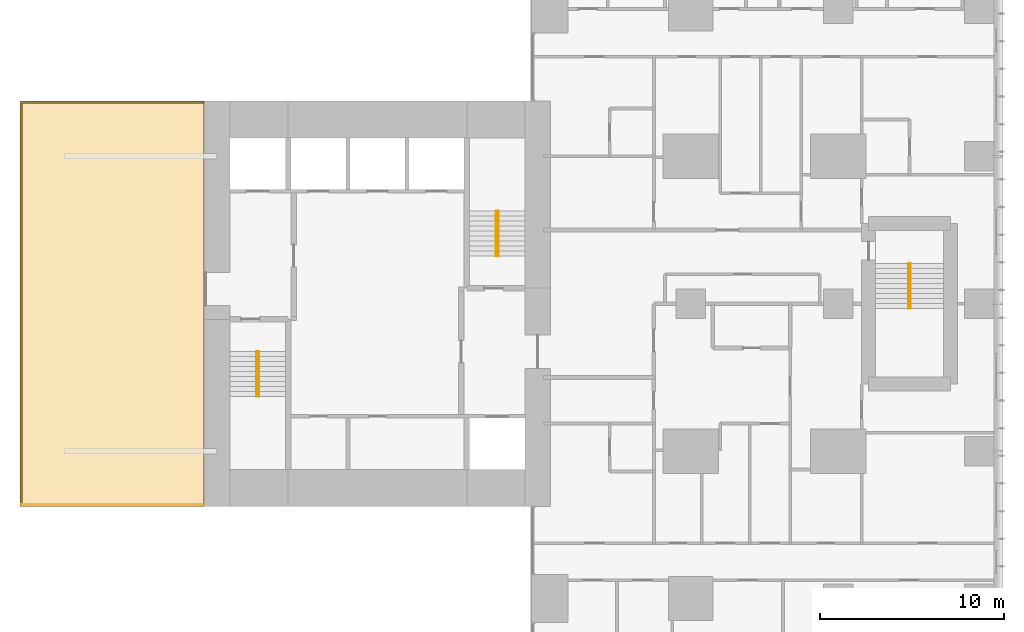
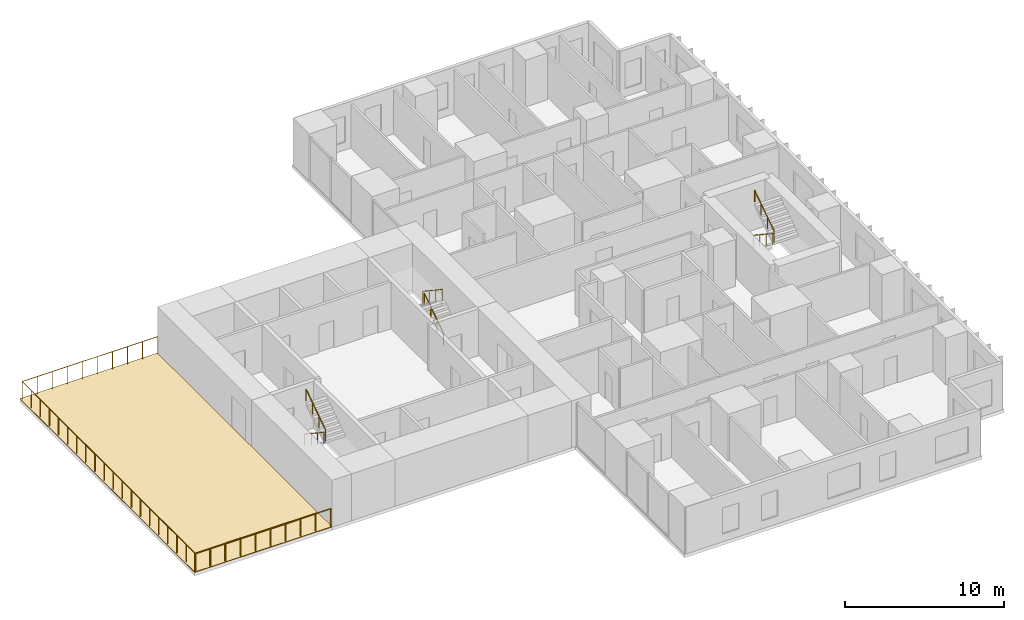
# One storey, part 14 of 14: 8 railings, 2 coverings.
"""IFC4 building model written with IfcOpenShell, lengths in metres."""

from ifc_helpers import new_model, si_unit, direction, frame, origin, origin_2d, place, context, subcontext, project, spatial, polyline, circle, outline, extrude, material, layer, layer_set, type_object, element, save


model = new_model("IFC4")

# Units and contexts
model_context = context("Model", 3, precision=1e-05, world=origin(), true_north=direction((0.0, 1.0)))
body_context = subcontext(model_context, "Body", "Model", "MODEL_VIEW")
ifc_project = project(units=[si_unit("LENGTHUNIT", "METRE"), si_unit("AREAUNIT", "SQUARE_METRE"), si_unit("VOLUMEUNIT", "CUBIC_METRE"), si_unit("PLANEANGLEUNIT", "RADIAN"), si_unit("MASSUNIT", "GRAM", prefix="KILO")], contexts=[model_context])

# Site, building, storey
site_placement = place(None, origin())
site = spatial("IfcSite", under=ifc_project, at=site_placement, CompositionType="ELEMENT")
building_placement = place(site_placement, origin())
building = spatial("IfcBuilding", under=site, at=building_placement, Name="Cleftline Residences", CompositionType="ELEMENT")
storey_placement = place(building_placement, frame((0.0, 0.0, 230.39990234375)))
storey = spatial("IfcBuildingStorey", under=building, at=storey_placement, Name="L60", CompositionType="ELEMENT", Elevation=230.39990234375)

# Railings
ifc_material_1 = material(Name="Stainless steel", Category="steel")
railing_type_1 = type_object("IfcRailingType", Name="HANDRAIL 900", PredefinedType="HANDRAIL", material=ifc_material_1)
railing_1_placement = place(storey_placement, frame((26.449951171875, 21.39990234375, 0.18017578125)))
element("IfcRailing", 1, at=railing_1_placement, inside=storey, type_object=railing_type_1, Name="Stair handrail", PredefinedType="HANDRAIL", context=body_context, shape_type="SweptSolid", body=[
    extrude(circle(Radius=0.02392578125, at=origin_2d()), frame((0.0, 0.0, 0.8759765625), z_axis=(0.0, -0.832063155534, 0.554680903946), x_axis=(1.0, 0.0, 0.0)), (0.0, 0.0, 1.0), 2.92041015625),
    extrude(circle(Radius=0.02099609375, at=origin_2d()), origin(), (0.0, 0.0, 1.0), 0.851806640625),
    extrude(circle(Radius=0.02099609375, at=origin_2d()), frame((0.0, -0.81005859375, 0.5400390625)), (0.0, 0.0, 1.0), 0.851806640625),
    extrude(circle(Radius=0.02099609375, at=origin_2d()), frame((0.0, -1.619873046875, 1.079833984375)), (0.0, 0.0, 1.0), 0.851806640625),
    extrude(circle(Radius=0.02099609375, at=origin_2d()), frame((0.0, -2.429931640625, 1.619873046875)), (0.0, 0.0, 1.0), 0.851806640625),
])
railing_2_placement = place(storey_placement, frame((26.550048828125, 18.969970703125, 1.97998046875)))
element("IfcRailing", 2, at=railing_2_placement, inside=storey, type_object=railing_type_1, Name="Stair handrail", PredefinedType="HANDRAIL", context=body_context, shape_type="SweptSolid", body=[
    extrude(circle(Radius=0.02392578125, at=origin_2d()), frame((0.0, 0.0, 0.8759765625), z_axis=(0.0, 0.832024571796, 0.554738778101), x_axis=(-1.0, 0.0, 0.0)), (0.0, 0.0, 1.0), 2.92041015625),
    extrude(circle(Radius=0.02099609375, at=origin_2d()), origin(), (0.0, 0.0, 1.0), 0.851806640625),
    extrude(circle(Radius=0.02099609375, at=origin_2d()), frame((0.0, 0.81005859375, 0.5400390625)), (0.0, 0.0, 1.0), 0.851806640625),
    extrude(circle(Radius=0.02099609375, at=origin_2d()), frame((0.0, 1.619873046875, 1.080078125)), (0.0, 0.0, 1.0), 0.851806640625),
    extrude(circle(Radius=0.02099609375, at=origin_2d()), frame((0.0, 2.429931640625, 1.6201171875)), (0.0, 0.0, 1.0), 0.851806640625),
])
railing_3_placement = place(storey_placement, frame((39.550048828125, 26.60009765625, 0.18017578125)))
element("IfcRailing", 3, at=railing_3_placement, inside=storey, type_object=railing_type_1, Name="Stair handrail", PredefinedType="HANDRAIL", context=body_context, shape_type="SweptSolid", body=[
    extrude(circle(Radius=0.02392578125, at=origin_2d()), frame((0.0, 0.0, 0.8759765625), z_axis=(0.0, 0.832063155534, 0.554680903946), x_axis=(-1.0, 0.0, 0.0)), (0.0, 0.0, 1.0), 2.92041015625),
    extrude(circle(Radius=0.02099609375, at=origin_2d()), origin(), (0.0, 0.0, 1.0), 0.851806640625),
    extrude(circle(Radius=0.02099609375, at=origin_2d()), frame((0.0, 0.81005859375, 0.5400390625)), (0.0, 0.0, 1.0), 0.851806640625),
    extrude(circle(Radius=0.02099609375, at=origin_2d()), frame((0.0, 1.619873046875, 1.079833984375)), (0.0, 0.0, 1.0), 0.851806640625),
    extrude(circle(Radius=0.02099609375, at=origin_2d()), frame((0.0, 2.429931640625, 1.619873046875)), (0.0, 0.0, 1.0), 0.851806640625),
])
railing_4_placement = place(storey_placement, frame((39.449951171875, 29.030029296875, 1.97998046875)))
element("IfcRailing", 4, at=railing_4_placement, inside=storey, type_object=railing_type_1, Name="Stair handrail", PredefinedType="HANDRAIL", context=body_context, shape_type="SweptSolid", body=[
    extrude(circle(Radius=0.02392578125, at=origin_2d()), frame((0.0, 0.0, 0.8759765625), z_axis=(0.0, -0.832024571796, 0.554738778101), x_axis=(1.0, 0.0, 0.0)), (0.0, 0.0, 1.0), 2.92041015625),
    extrude(circle(Radius=0.02099609375, at=origin_2d()), origin(), (0.0, 0.0, 1.0), 0.851806640625),
    extrude(circle(Radius=0.02099609375, at=origin_2d()), frame((0.0, -0.81005859375, 0.5400390625)), (0.0, 0.0, 1.0), 0.851806640625),
    extrude(circle(Radius=0.02099609375, at=origin_2d()), frame((0.0, -1.619873046875, 1.080078125)), (0.0, 0.0, 1.0), 0.851806640625),
    extrude(circle(Radius=0.02099609375, at=origin_2d()), frame((0.0, -2.429931640625, 1.6201171875)), (0.0, 0.0, 1.0), 0.851806640625),
])
railing_5_placement = place(storey_placement, frame((61.824951171875, 26.175048828125, 0.18017578125)))
element("IfcRailing", 5, at=railing_5_placement, inside=storey, type_object=railing_type_1, Name="Stair handrail", PredefinedType="HANDRAIL", context=body_context, shape_type="SweptSolid", body=[
    extrude(circle(Radius=0.02392578125, at=origin_2d()), frame((0.0, 0.0, 0.8759765625), z_axis=(0.0, -0.832063155534, 0.554680903946), x_axis=(1.0, 0.0, 0.0)), (0.0, 0.0, 1.0), 2.92041015625),
    extrude(circle(Radius=0.02099609375, at=origin_2d()), origin(), (0.0, 0.0, 1.0), 0.851806640625),
    extrude(circle(Radius=0.02099609375, at=origin_2d()), frame((0.0, -0.81005859375, 0.5400390625)), (0.0, 0.0, 1.0), 0.851806640625),
    extrude(circle(Radius=0.02099609375, at=origin_2d()), frame((0.0, -1.619873046875, 1.079833984375)), (0.0, 0.0, 1.0), 0.851806640625),
    extrude(circle(Radius=0.02099609375, at=origin_2d()), frame((0.0, -2.429931640625, 1.619873046875)), (0.0, 0.0, 1.0), 0.851806640625),
])
railing_6_placement = place(storey_placement, frame((61.925048828125, 23.7451171875, 1.97998046875)))
element("IfcRailing", 6, at=railing_6_placement, inside=storey, type_object=railing_type_1, Name="Stair handrail", PredefinedType="HANDRAIL", context=body_context, shape_type="SweptSolid", body=[
    extrude(circle(Radius=0.02392578125, at=origin_2d()), frame((0.0, 0.0, 0.8759765625), z_axis=(0.0, 0.832024571796, 0.554738778101), x_axis=(-1.0, 0.0, 0.0)), (0.0, 0.0, 1.0), 2.92041015625),
    extrude(circle(Radius=0.02099609375, at=origin_2d()), origin(), (0.0, 0.0, 1.0), 0.851806640625),
    extrude(circle(Radius=0.02099609375, at=origin_2d()), frame((0.0, 0.81005859375, 0.5400390625)), (0.0, 0.0, 1.0), 0.851806640625),
    extrude(circle(Radius=0.02099609375, at=origin_2d()), frame((0.0, 1.619873046875, 1.080078125)), (0.0, 0.0, 1.0), 0.851806640625),
    extrude(circle(Radius=0.02099609375, at=origin_2d()), frame((0.0, 2.429931640625, 1.6201171875)), (0.0, 0.0, 1.0), 0.851806640625),
])
ifc_material_2 = material(Name="Stainless steel and laminated glass", Category="steel")
railing_type_2 = type_object("IfcRailingType", Name="TERRACE GUARD 1400", PredefinedType="GUARDRAIL", material=ifc_material_2)
railing_7_placement = place(storey_placement, frame((13.699951171875, 13.10009765625, 0.0)))
element("IfcRailing", 7, at=railing_7_placement, inside=storey, type_object=railing_type_2, Name="Terrace guard", PredefinedType="GUARDRAIL", context=body_context, shape_type="SweptSolid", body=[
    extrude(circle(Radius=0.02392578125, at=origin_2d()), frame((0.0, 0.0, 1.3759765625), z_axis=(0.0, 1.0, 0.0), x_axis=(-1.0, 0.0, 0.0)), (0.0, 0.0, 1.0), 21.7998046875),
    extrude(circle(Radius=0.02392578125, at=origin_2d()), frame((0.0, 21.7998046875, 1.3759765625), z_axis=(1.0, 0.0, 0.0), x_axis=(0.0, 1.0, 0.0)), (0.0, 0.0, 1.0), 9.85009765625),
    extrude(circle(Radius=0.02099609375, at=origin_2d()), origin(), (0.0, 0.0, 1.0), 1.351806640625),
    extrude(circle(Radius=0.02099609375, at=origin_2d()), frame((0.0, 1.1474609375, 0.0)), (0.0, 0.0, 1.0), 1.351806640625),
    extrude(circle(Radius=0.02099609375, at=origin_2d()), frame((0.0, 2.294677734375, 0.0)), (0.0, 0.0, 1.0), 1.351806640625),
    extrude(circle(Radius=0.02099609375, at=origin_2d()), frame((0.0, 3.442138671875, 0.0)), (0.0, 0.0, 1.0), 1.351806640625),
    extrude(circle(Radius=0.02099609375, at=origin_2d()), frame((0.0, 4.58935546875, 0.0)), (0.0, 0.0, 1.0), 1.351806640625),
    extrude(circle(Radius=0.02099609375, at=origin_2d()), frame((0.0, 5.73681640625, 0.0)), (0.0, 0.0, 1.0), 1.351806640625),
    extrude(circle(Radius=0.02099609375, at=origin_2d()), frame((0.0, 6.884033203125, 0.0)), (0.0, 0.0, 1.0), 1.351806640625),
    extrude(circle(Radius=0.02099609375, at=origin_2d()), frame((0.0, 8.031494140625, 0.0)), (0.0, 0.0, 1.0), 1.351806640625),
    extrude(circle(Radius=0.02099609375, at=origin_2d()), frame((0.0, 9.178955078125, 0.0)), (0.0, 0.0, 1.0), 1.351806640625),
    extrude(circle(Radius=0.02099609375, at=origin_2d()), frame((0.0, 10.326171875, 0.0)), (0.0, 0.0, 1.0), 1.351806640625),
    extrude(circle(Radius=0.02099609375, at=origin_2d()), frame((0.0, 11.4736328125, 0.0)), (0.0, 0.0, 1.0), 1.351806640625),
    extrude(circle(Radius=0.02099609375, at=origin_2d()), frame((0.0, 12.620849609375, 0.0)), (0.0, 0.0, 1.0), 1.351806640625),
    extrude(circle(Radius=0.02099609375, at=origin_2d()), frame((0.0, 13.768310546875, 0.0)), (0.0, 0.0, 1.0), 1.351806640625),
    extrude(circle(Radius=0.02099609375, at=origin_2d()), frame((0.0, 14.915771484375, 0.0)), (0.0, 0.0, 1.0), 1.351806640625),
    extrude(circle(Radius=0.02099609375, at=origin_2d()), frame((0.0, 16.06298828125, 0.0)), (0.0, 0.0, 1.0), 1.351806640625),
    extrude(circle(Radius=0.02099609375, at=origin_2d()), frame((0.0, 17.21044921875, 0.0)), (0.0, 0.0, 1.0), 1.351806640625),
    extrude(circle(Radius=0.02099609375, at=origin_2d()), frame((0.0, 18.357666015625, 0.0)), (0.0, 0.0, 1.0), 1.351806640625),
    extrude(circle(Radius=0.02099609375, at=origin_2d()), frame((0.0, 19.505126953125, 0.0)), (0.0, 0.0, 1.0), 1.351806640625),
    extrude(circle(Radius=0.02099609375, at=origin_2d()), frame((0.0, 20.65234375, 0.0)), (0.0, 0.0, 1.0), 1.351806640625),
    extrude(circle(Radius=0.02099609375, at=origin_2d()), frame((0.0, 21.7998046875, 0.0)), (0.0, 0.0, 1.0), 1.351806640625),
    extrude(circle(Radius=0.02099609375, at=origin_2d()), frame((1.094482421875, 21.7998046875, 0.0)), (0.0, 0.0, 1.0), 1.351806640625),
    extrude(circle(Radius=0.02099609375, at=origin_2d()), frame((2.18896484375, 21.7998046875, 0.0)), (0.0, 0.0, 1.0), 1.351806640625),
    extrude(circle(Radius=0.02099609375, at=origin_2d()), frame((3.283447265625, 21.7998046875, 0.0)), (0.0, 0.0, 1.0), 1.351806640625),
    extrude(circle(Radius=0.02099609375, at=origin_2d()), frame((4.3779296875, 21.7998046875, 0.0)), (0.0, 0.0, 1.0), 1.351806640625),
    extrude(circle(Radius=0.02099609375, at=origin_2d()), frame((5.47216796875, 21.7998046875, 0.0)), (0.0, 0.0, 1.0), 1.351806640625),
    extrude(circle(Radius=0.02099609375, at=origin_2d()), frame((6.566650390625, 21.7998046875, 0.0)), (0.0, 0.0, 1.0), 1.351806640625),
    extrude(circle(Radius=0.02099609375, at=origin_2d()), frame((7.6611328125, 21.7998046875, 0.0)), (0.0, 0.0, 1.0), 1.351806640625),
    extrude(circle(Radius=0.02099609375, at=origin_2d()), frame((8.755615234375, 21.7998046875, 0.0)), (0.0, 0.0, 1.0), 1.351806640625),
    extrude(circle(Radius=0.02099609375, at=origin_2d()), frame((9.85009765625, 21.7998046875, 0.0)), (0.0, 0.0, 1.0), 1.351806640625),
])
railing_8_placement = place(storey_placement, frame((23.550048828125, 13.10009765625, 0.0)))
element("IfcRailing", 8, at=railing_8_placement, inside=storey, type_object=railing_type_2, Name="Terrace guard", PredefinedType="GUARDRAIL", context=body_context, shape_type="SweptSolid", body=[
    extrude(circle(Radius=0.02392578125, at=origin_2d()), frame((0.0, 0.0, 1.3759765625), z_axis=(-1.0, 0.0, 0.0), x_axis=(0.0, -1.0, 0.0)), (0.0, 0.0, 1.0), 9.85009765625),
    extrude(circle(Radius=0.02099609375, at=origin_2d()), origin(), (0.0, 0.0, 1.0), 1.351806640625),
    extrude(circle(Radius=0.02099609375, at=origin_2d()), frame((-1.094482421875, 0.0, 0.0)), (0.0, 0.0, 1.0), 1.351806640625),
    extrude(circle(Radius=0.02099609375, at=origin_2d()), frame((-2.18896484375, 0.0, 0.0)), (0.0, 0.0, 1.0), 1.351806640625),
    extrude(circle(Radius=0.02099609375, at=origin_2d()), frame((-3.283447265625, 0.0, 0.0)), (0.0, 0.0, 1.0), 1.351806640625),
    extrude(circle(Radius=0.02099609375, at=origin_2d()), frame((-4.3779296875, 0.0, 0.0)), (0.0, 0.0, 1.0), 1.351806640625),
    extrude(circle(Radius=0.02099609375, at=origin_2d()), frame((-5.47216796875, 0.0, 0.0)), (0.0, 0.0, 1.0), 1.351806640625),
    extrude(circle(Radius=0.02099609375, at=origin_2d()), frame((-6.566650390625, 0.0, 0.0)), (0.0, 0.0, 1.0), 1.351806640625),
    extrude(circle(Radius=0.02099609375, at=origin_2d()), frame((-7.6611328125, 0.0, 0.0)), (0.0, 0.0, 1.0), 1.351806640625),
    extrude(circle(Radius=0.02099609375, at=origin_2d()), frame((-8.755615234375, 0.0, 0.0)), (0.0, 0.0, 1.0), 1.351806640625),
    extrude(circle(Radius=0.02099609375, at=origin_2d()), frame((-9.85009765625, 0.0, 0.0)), (0.0, 0.0, 1.0), 1.351806640625),
])

# Coverings
ifc_material_3 = material(Name="Porcelain paving on adhesive bed")
ifc_layer_1 = layer(ifc_material_3, 0.0400390625)
ifc_layer_set_1 = layer_set([ifc_layer_1], Name="TERRACE PAVING 40")
covering_type_1 = type_object("IfcCoveringType", Name="TERRACE PAVING 40", PredefinedType="FLOORING", material=ifc_layer_set_1)
covering_1_placement = place(storey_placement, frame((0.0, 0.0, 0.005126953125)))
element("IfcCovering", 9, at=covering_1_placement, inside=storey, type_object=covering_type_1, Name="Terrace paving L60 1", PredefinedType="FLOORING", context=body_context, shape_type="SweptSolid", body=[
    extrude(outline(polyline([(13.60009765625, 13.010009765625), (13.60009765625, 13.009033203125), (13.60009765625, 13.008056640625), (13.600341796875, 13.007080078125), (13.600830078125, 13.006103515625), (13.601318359375, 13.00537109375), (13.601806640625, 13.00439453125), (13.602294921875, 13.003662109375), (13.602783203125, 13.0029296875), (13.603759765625, 13.002197265625), (13.6044921875, 13.001708984375), (13.605224609375, 13.001220703125), (13.606201171875, 13.000732421875), (13.607177734375, 13.00048828125), (13.60791015625, 13.000244140625), (13.60888671875, 13.0), (13.610107421875, 13.0), (23.590087890625, 13.0), (23.591064453125, 13.0), (23.592041015625, 13.000244140625), (23.593017578125, 13.00048828125), (23.59375, 13.000732421875), (23.5947265625, 13.001220703125), (23.594970703125, 13.00146484375), (23.594970703125, 23.14501953125), (23.594970703125, 23.155029296875), (23.594970703125, 34.99853515625), (23.5947265625, 34.998779296875), (23.59375, 34.999267578125), (23.593017578125, 34.99951171875), (23.592041015625, 34.999755859375), (23.591064453125, 35.0), (23.590087890625, 35.0), (13.610107421875, 35.0), (13.60888671875, 35.0), (13.60791015625, 34.999755859375), (13.607177734375, 34.99951171875), (13.606201171875, 34.999267578125), (13.605224609375, 34.998779296875), (13.6044921875, 34.998291015625), (13.603759765625, 34.997802734375), (13.602783203125, 34.9970703125), (13.602294921875, 34.996337890625), (13.601806640625, 34.99560546875), (13.601318359375, 34.99462890625), (13.600830078125, 34.993896484375), (13.600341796875, 34.992919921875), (13.60009765625, 34.991943359375), (13.60009765625, 34.990966796875), (13.60009765625, 34.989990234375), (13.60009765625, 13.010009765625)])), origin(), (0.0, 0.0, 1.0), 0.0400390625),
])
ifc_material_4 = material(Name="Liquid-applied polyurethane waterproofing")
ifc_layer_2 = layer(ifc_material_4, 0.0048828125)
ifc_layer_set_2 = layer_set([ifc_layer_2], Name="TERRACE WATERPROOFING 5")
covering_type_2 = type_object("IfcCoveringType", Name="TERRACE WATERPROOFING 5", PredefinedType="ROOFING", material=ifc_layer_set_2)
covering_2_placement = place(storey_placement, origin())
element("IfcCovering", 10, at=covering_2_placement, inside=storey, type_object=covering_type_2, Name="Terrace waterproofing L60 1", PredefinedType="ROOFING", context=body_context, shape_type="SweptSolid", body=[
    extrude(outline(polyline([(13.60009765625, 13.010009765625), (13.60009765625, 13.009033203125), (13.60009765625, 13.008056640625), (13.600341796875, 13.007080078125), (13.600830078125, 13.006103515625), (13.601318359375, 13.00537109375), (13.601806640625, 13.00439453125), (13.602294921875, 13.003662109375), (13.602783203125, 13.0029296875), (13.603759765625, 13.002197265625), (13.6044921875, 13.001708984375), (13.605224609375, 13.001220703125), (13.606201171875, 13.000732421875), (13.607177734375, 13.00048828125), (13.60791015625, 13.000244140625), (13.60888671875, 13.0), (13.610107421875, 13.0), (23.590087890625, 13.0), (23.591064453125, 13.0), (23.592041015625, 13.000244140625), (23.593017578125, 13.00048828125), (23.59375, 13.000732421875), (23.5947265625, 13.001220703125), (23.594970703125, 13.00146484375), (23.594970703125, 23.14501953125), (23.594970703125, 23.155029296875), (23.594970703125, 34.99853515625), (23.5947265625, 34.998779296875), (23.59375, 34.999267578125), (23.593017578125, 34.99951171875), (23.592041015625, 34.999755859375), (23.591064453125, 35.0), (23.590087890625, 35.0), (13.610107421875, 35.0), (13.60888671875, 35.0), (13.60791015625, 34.999755859375), (13.607177734375, 34.99951171875), (13.606201171875, 34.999267578125), (13.605224609375, 34.998779296875), (13.6044921875, 34.998291015625), (13.603759765625, 34.997802734375), (13.602783203125, 34.9970703125), (13.602294921875, 34.996337890625), (13.601806640625, 34.99560546875), (13.601318359375, 34.99462890625), (13.600830078125, 34.993896484375), (13.600341796875, 34.992919921875), (13.60009765625, 34.991943359375), (13.60009765625, 34.990966796875), (13.60009765625, 34.989990234375), (13.60009765625, 13.010009765625)])), origin(), (0.0, 0.0, 1.0), 0.005126953125),
])

save(model, "model.ifc")
